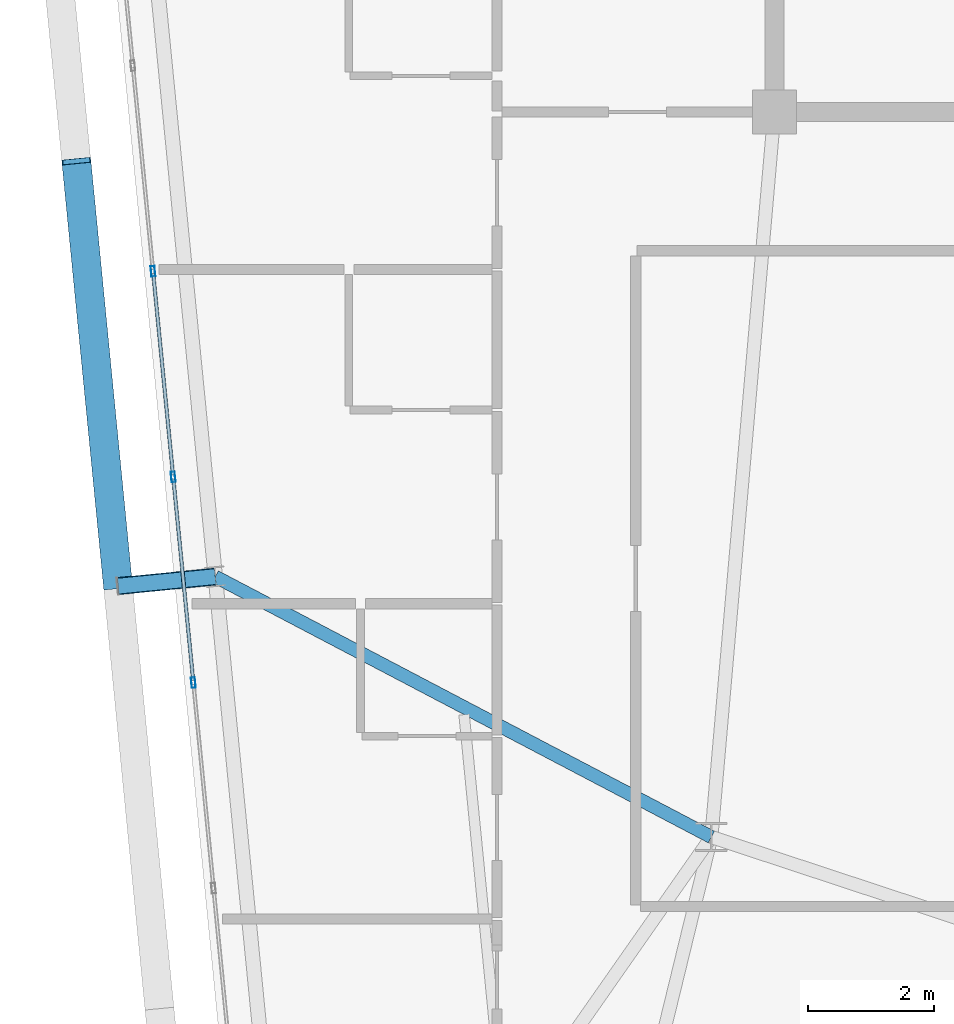
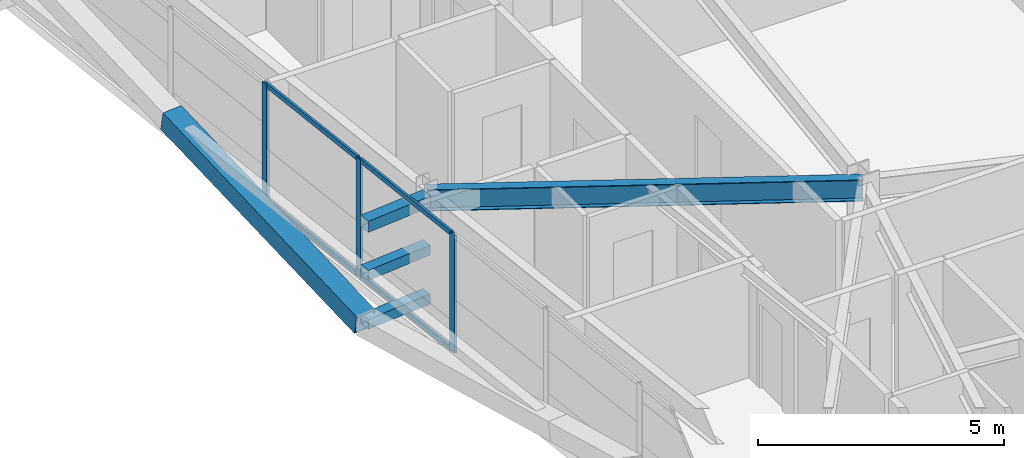
# One storey, part 13 of 53: 11 members, 1 beam, 1 element without a shape of its own.
"""IFC4 building model written with IfcOpenShell, lengths in metres."""

from ifc_helpers import new_model, si_unit, direction, frame, origin, origin_2d, place, context, subcontext, project, spatial, hollow_rectangle, i_section, extrude, source, transform, mapped, material, layer, layer_set, material_profile, profile_set, type_object, element, aggregate, save


model = new_model("IFC4")

# Units and contexts
model_context = context("Model", 3, precision=1e-05, world=origin(), true_north=direction((0.0, 1.0)))
body_context = subcontext(model_context, "Body", "Model", "MODEL_VIEW")
ifc_project = project(units=[si_unit("LENGTHUNIT", "METRE"), si_unit("AREAUNIT", "SQUARE_METRE"), si_unit("VOLUMEUNIT", "CUBIC_METRE"), si_unit("PLANEANGLEUNIT", "RADIAN"), si_unit("MASSUNIT", "GRAM", prefix="KILO")], contexts=[model_context])

# Site, building, storey
site_placement = place(None, origin())
site = spatial("IfcSite", under=ifc_project, at=site_placement, CompositionType="ELEMENT")
building_placement = place(site_placement, origin())
building = spatial("IfcBuilding", under=site, at=building_placement, Name="Taldren Reach Tower", CompositionType="ELEMENT")
storey_placement = place(building_placement, frame((0.0, 0.0, 71.39990234375)))
storey = spatial("IfcBuildingStorey", under=building, at=storey_placement, Name="L21", CompositionType="ELEMENT", Elevation=71.39990234375)

# Beam
ifc_material_1 = material(Name="Steel Gr 350 (350PLUS)", Category="steel")
ifc_material_profile_1 = material_profile(ifc_material_1, i_section(OverallWidth=0.208984375, OverallDepth=0.532958984375, WebThickness=0.01025390625, FlangeThickness=0.015625, at=origin_2d()), Name="530UB92.4")
ifc_profile_set_1 = profile_set([ifc_material_profile_1], Name="Steel Gr 350 (350PLUS)")
beam_type = type_object("IfcBeamType", Name="BM-UB530A", PredefinedType="BEAM", material=ifc_profile_set_1)
shared_shape_1 = source(origin(), body_context, "Body", "SweptSolid", [
    extrude(i_section(OverallWidth=0.208984375, OverallDepth=0.532958984375, WebThickness=0.01025390625, FlangeThickness=0.015625, at=origin_2d()), origin(), (0.0, 0.0, 1.0), 8.8876953125),
])
beam_placement = place(storey_placement, frame((18.0, 12.5, 2.66357421875), z_axis=(-0.885412881876, 0.464805366371, 0.0), x_axis=(-0.464805366371, -0.885412881876, 0.0)))
element("IfcBeam", 1, at=beam_placement, inside=storey, type_object=beam_type, Name="Primary floor girder B2-W2 L21", PredefinedType="BEAM", context=body_context, shape_type="MappedRepresentation", body=[
    mapped(shared_shape_1, transform((0.0, 0.0, 0.0), scale=1.0)),
])

# Members
ifc_material_2 = material(Name="Steel Gr 450 (C450L0)", Category="steel")
ifc_material_profile_2 = material_profile(ifc_material_2, hollow_rectangle(XDim=0.27490234375, YDim=0.27490234375, WallThickness=0.00927734375, at=origin_2d()), Name="275x275x9.3SHS")
ifc_profile_set_2 = profile_set([ifc_material_profile_2], Name="Steel Gr 450 (C450L0)")
member_type_1 = type_object("IfcMemberType", Name="MB-TIE273", PredefinedType="STRUT", material=ifc_profile_set_2)
shared_shape_2 = source(origin(), body_context, "Body", "SweptSolid", [
    extrude(hollow_rectangle(XDim=0.27490234375, YDim=0.27490234375, WallThickness=0.00927734375, at=origin_2d()), origin(), (0.0, 0.0, 1.0), 1.550048828125),
])
member_1_placement = place(storey_placement, frame((10.130615234375, 16.631103515625, 2.650146484375), z_axis=(-0.9952210252, -0.097647892962, 0.0), x_axis=(0.097647892962, -0.9952210252, 0.0)))
element("IfcMember", 2, at=member_1_placement, inside=storey, type_object=member_type_1, Name="Exoskeleton diaphragm tie strut B2-W2 L21", PredefinedType="STRUT", context=body_context, shape_type="MappedRepresentation", body=[
    mapped(shared_shape_2, transform((0.0, 0.0, 0.0), scale=1.0)),
])
ifc_material_3 = material(Name="Steel Gr 350 (C350L0)", Category="steel")
ifc_material_profile_3 = material_profile(ifc_material_3, hollow_rectangle(XDim=0.25, YDim=0.25, WallThickness=0.010009765625, at=origin_2d()), Name="250x250x10.0SHS")
ifc_profile_set_3 = profile_set([ifc_material_profile_3], Name="Steel Gr 350 (C350L0)")
member_type_2 = type_object("IfcMemberType", Name="MB-POST250", PredefinedType="POST", material=ifc_profile_set_3)
shared_shape_3 = source(origin(), body_context, "Body", "SweptSolid", [
    extrude(hollow_rectangle(XDim=0.25, YDim=0.25, WallThickness=0.010009765625, at=origin_2d()), origin(), (0.0, 0.0, 1.0), 1.550048828125),
])
for number, where, z_axis, x_axis, name in (
    (3, (10.130615234375, 16.631103515625, 0.22021484375), (-0.9952210252, -0.097647892962, 0.0), (0.097647892962, -0.9952210252, 0.0), "Exoskeleton base diaphragm tie strut B2-W2 L21"),
    (4, (10.130615234375, 16.631103515625, 1.43505859375), (-0.9952210252, -0.097647892962, 0.0), (0.097647892962, -0.9952210252, 0.0), "Exoskeleton mid-tier diaphragm tie B2-W2 L21"),
):
    element("IfcMember", number, at=place(storey_placement, frame(where, z_axis=z_axis, x_axis=x_axis)), inside=storey, type_object=member_type_2, Name=name, PredefinedType="POST", context=body_context, shape_type="MappedRepresentation", body=[
        mapped(shared_shape_3, transform((0.0, 0.0, 0.0), scale=1.0)),
    ])
ifc_material_profile_4 = material_profile(ifc_material_2, hollow_rectangle(XDim=0.4599609375, YDim=0.4599609375, WallThickness=0.01611328125, at=origin_2d()), Name="460x460x16.0SHS")
ifc_profile_set_4 = profile_set([ifc_material_profile_4], Name="Steel Gr 450 (C450L0)")
member_type_3 = type_object("IfcMemberType", Name="MB-EXO457", PredefinedType="BRACE", material=ifc_profile_set_4)
shared_shape_4 = source(origin(), body_context, "Body", "SweptSolid", [
    extrude(hollow_rectangle(XDim=0.4599609375, YDim=0.4599609375, WallThickness=0.01611328125, at=origin_2d()), origin(), (0.0, 0.0, 1.0), 6.883056640625),
])
member_2_placement = place(storey_placement, frame((8.587890625, 16.479736328125, 0.22021484375), z_axis=(-0.096052059581, 0.979603316657, 0.176497432967), x_axis=(-0.995227290009, -0.097584021339, 0.0)))
element("IfcMember", 5, at=member_2_placement, inside=storey, type_object=member_type_3, Name="Exoskeleton Diagrid Brace B2-W2 L21", PredefinedType="BRACE", context=body_context, shape_type="MappedRepresentation", body=[
    mapped(shared_shape_4, transform((0.0, 0.0, 0.0), scale=1.0)),
])

# Curtain wall, members
ifc_material_4 = material(Name="Aluminium and Low-E Glass Unitised System", Category="aluminium")
ifc_layer = layer(ifc_material_4, 0.159912109375)
ifc_layer_set = layer_set([ifc_layer], Name="Aluminium and Low-E Glass Unitised System")
curtain_wall_type = type_object("IfcCurtainWallType", Name="CW-SYS-3", PredefinedType="NOTDEFINED", material=ifc_layer_set)
curtain_wall_placement = place(storey_placement, origin())
curtain_wall = element("IfcCurtainWall", 6, at=curtain_wall_placement, inside=storey, type_object=curtain_wall_type, Name="Unitised curtain wall CW-L21-W", PredefinedType="NOTDEFINED")
ifc_material_5 = material(Name="Anodised Aluminium 6063-T6", Category="aluminium")
ifc_material_profile_5 = material_profile(ifc_material_5, hollow_rectangle(XDim=0.06494140625, YDim=0.1650390625, WallThickness=0.00390625, at=origin_2d()), Name="ALU-165x65x4RHS")
ifc_profile_set_5 = profile_set([ifc_material_profile_5], Name="Anodised Aluminium 6063-T6")
member_type_4 = type_object("IfcMemberType", Name="CW-MUL-165", PredefinedType="MULLION", material=ifc_profile_set_5)
shared_shape_5 = source(origin(), body_context, "Body", "SweptSolid", [
    extrude(hollow_rectangle(XDim=0.06494140625, YDim=0.1650390625, WallThickness=0.00390625, at=origin_2d()), origin(), (0.0, 0.0, 1.0), 2.93017578125),
])
member_3_placement = place(storey_placement, frame((9.14306640625, 21.474609375, 0.0), z_axis=(0.0, 0.0, 1.0), x_axis=(0.99522741555, 0.09758274098, 0.0)))
member_3 = element("IfcMember", 7, at=member_3_placement, type_object=member_type_4, Name="CW-3 mullion 4", PredefinedType="MULLION", context=body_context, shape_type="MappedRepresentation", body=[
    mapped(shared_shape_5, transform((0.0, 0.0, 0.0), scale=1.0)),
])
member_4_placement = place(storey_placement, frame((9.463134765625, 18.21240234375, 0.0), z_axis=(0.0, 0.0, 1.0), x_axis=(0.99522741555, 0.09758274098, 0.0)))
member_4 = element("IfcMember", 8, at=member_4_placement, type_object=member_type_4, Name="CW-3 mullion 5", PredefinedType="MULLION", context=body_context, shape_type="MappedRepresentation", body=[
    mapped(shared_shape_5, transform((0.0, 0.0, 0.0), scale=1.0)),
])
member_5_placement = place(storey_placement, frame((9.782958984375, 14.9501953125, 0.0), z_axis=(0.0, 0.0, 1.0), x_axis=(0.99522741555, 0.09758274098, 0.0)))
member_5 = element("IfcMember", 9, at=member_5_placement, type_object=member_type_4, Name="CW-3 mullion 6", PredefinedType="MULLION", context=body_context, shape_type="MappedRepresentation", body=[
    mapped(shared_shape_5, transform((0.0, 0.0, 0.0), scale=1.0)),
])
ifc_material_profile_6 = material_profile(ifc_material_5, hollow_rectangle(XDim=0.054931640625, YDim=0.1201171875, WallThickness=0.0029296875, at=origin_2d()), Name="ALU-120x55x3RHS")
ifc_profile_set_6 = profile_set([ifc_material_profile_6], Name="Anodised Aluminium 6063-T6")
member_type_5 = type_object("IfcMemberType", Name="CW-TRN-135", PredefinedType="USERDEFINED", material=ifc_profile_set_6)
shared_shape_6 = source(origin(), body_context, "Body", "SweptSolid", [
    extrude(hollow_rectangle(XDim=0.054931640625, YDim=0.1201171875, WallThickness=0.0029296875, at=origin_2d()), origin(), (0.0, 0.0, 1.0), 3.212890625),
])
member_6_placement = place(storey_placement, frame((9.46630859375, 18.18017578125, 0.027587890625), z_axis=(0.097569948235, -0.995228669805, 0.0), x_axis=(0.995228669805, 0.097569948235, 0.0)))
member_6 = element("IfcMember", 10, at=member_6_placement, type_object=member_type_5, Name="CW-3 transom 5.1", ObjectType="TRANSOM", PredefinedType="USERDEFINED", context=body_context, shape_type="MappedRepresentation", body=[
    mapped(shared_shape_6, transform((0.0, 0.0, 0.0), scale=1.0)),
])
member_7_placement = place(storey_placement, frame((9.46630859375, 18.18017578125, 2.902587890625), z_axis=(0.097569948235, -0.995228669805, 0.0), x_axis=(0.995228669805, 0.097569948235, 0.0)))
member_7 = element("IfcMember", 11, at=member_7_placement, type_object=member_type_5, Name="CW-3 transom 5.2", ObjectType="TRANSOM", PredefinedType="USERDEFINED", context=body_context, shape_type="MappedRepresentation", body=[
    mapped(shared_shape_6, transform((0.0, 0.0, 0.0), scale=1.0)),
])
shared_shape_7 = source(origin(), body_context, "Body", "SweptSolid", [
    extrude(hollow_rectangle(XDim=0.054931640625, YDim=0.1201171875, WallThickness=0.0029296875, at=origin_2d()), origin(), (0.0, 0.0, 1.0), 3.212646484375),
])
member_8_placement = place(storey_placement, frame((9.146240234375, 21.442138671875, 0.027587890625), z_axis=(0.097652598057, -0.99522056354, 0.0), x_axis=(0.99522056354, 0.097652598057, 0.0)))
member_8 = element("IfcMember", 12, at=member_8_placement, type_object=member_type_5, Name="CW-3 transom 4.1", ObjectType="TRANSOM", PredefinedType="USERDEFINED", context=body_context, shape_type="MappedRepresentation", body=[
    mapped(shared_shape_7, transform((0.0, 0.0, 0.0), scale=1.0)),
])
member_9_placement = place(storey_placement, frame((9.146240234375, 21.442138671875, 2.902587890625), z_axis=(0.097652598057, -0.99522056354, 0.0), x_axis=(0.99522056354, 0.097652598057, 0.0)))
member_9 = element("IfcMember", 13, at=member_9_placement, type_object=member_type_5, Name="CW-3 transom 4.2", ObjectType="TRANSOM", PredefinedType="USERDEFINED", context=body_context, shape_type="MappedRepresentation", body=[
    mapped(shared_shape_7, transform((0.0, 0.0, 0.0), scale=1.0)),
])
aggregate(curtain_wall, [member_3, member_4, member_5, member_8, member_9, member_6, member_7])

save(model, "model.ifc")
